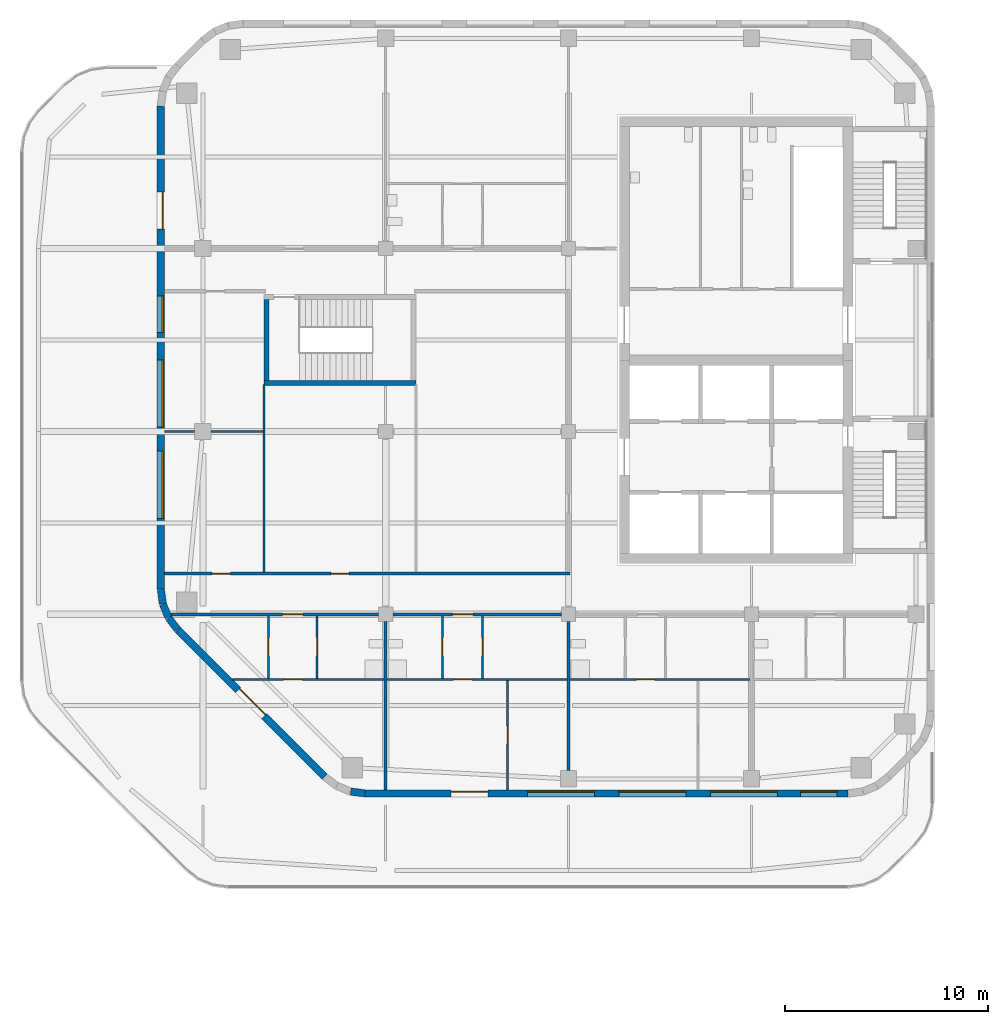
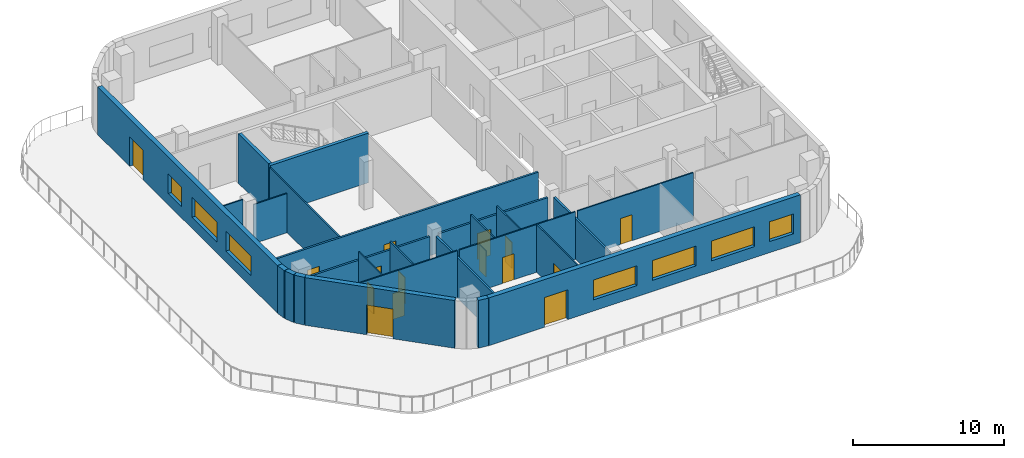
# One storey, part 5 of 15: 25 walls, 15 doors, 7 windows, 22 openings.
"""IFC4 building model written with IfcOpenShell, lengths in metres."""

import ifcopenshell
import ifcopenshell.guid

model = None  # the IFC model being written
_history = None  # IfcOwnerHistory: only IFC2X3 demands one
_inside = {}  # id of a spatial element -> (the spatial element, [elements in it])
_under = {}  # id of a project, library or spatial element -> (it, [spatial elements below it])
_declared = {}  # id of a project -> (the project, [libraries it declares])
_typed = {}  # id of a type object -> (the type object, [elements of that type])
_made_of = {}  # id of a material, layer set ... -> (it, [elements and type objects made of it])


def new_model(schema):
    """Start an empty IFC model of exactly this schema.

    Asked for "IFC4X3", IfcOpenShell would pick the latest addendum, in which some entities
    have other attributes; the version numbers below select the first issue.
    IFC2X3 requires an IfcOwnerHistory on every rooted entity: one is made here for all.
    """
    global model, _history
    if schema == "IFC4X3":
        model = ifcopenshell.file(schema_version=(4, 3, 0, 0))
    else:
        model = ifcopenshell.file(schema=schema)
    _inside.clear()
    _under.clear()
    _declared.clear()
    _typed.clear()
    _made_of.clear()
    _history = None
    if model.schema == "IFC2X3":
        org = make("IfcOrganization", Name="unknown")
        user = make(
            "IfcPersonAndOrganization",
            ThePerson=make("IfcPerson", FamilyName="unknown"),
            TheOrganization=org,
        )
        app = make(
            "IfcApplication",
            ApplicationDeveloper=org,
            Version="unknown",
            ApplicationFullName="unknown",
            ApplicationIdentifier="unknown",
        )
        _history = make(
            "IfcOwnerHistory",
            OwningUser=user,
            OwningApplication=app,
            ChangeAction="ADDED",
            CreationDate=0,
        )
    return model


def make(cls, **values):
    """One entity of the class cls with the attributes given. An attribute that is None is left unset."""
    return model.create_entity(
        cls, **{name: value for name, value in values.items() if value is not None}
    )


def rooted(cls, **values):
    """An entity with a GlobalId (a new one), such as an element, a storey or a relation."""
    return make(cls, GlobalId=ifcopenshell.guid.new(), OwnerHistory=_history, **values)


def si_unit(unit_type, name, prefix=None):
    """IfcSIUnit, for example si_unit("LENGTHUNIT", "METRE", prefix="MILLI")."""
    return make("IfcSIUnit", UnitType=unit_type, Prefix=prefix, Name=name)


def assignment(units):
    """IfcUnitAssignment: the units of a project."""
    return None if units is None else make("IfcUnitAssignment", Units=units)


def point(xyz):
    """IfcCartesianPoint."""
    return None if xyz is None else make("IfcCartesianPoint", Coordinates=xyz)


def direction(xyz):
    """IfcDirection."""
    return None if xyz is None else make("IfcDirection", DirectionRatios=xyz)


def frame(location, z_axis=None, x_axis=None):
    """IfcAxis2Placement3D, a coordinate frame: its origin and axes. An axis left out is left unset."""
    return make(
        "IfcAxis2Placement3D",
        Location=point(location),
        Axis=direction(z_axis),
        RefDirection=direction(x_axis),
    )


def frame_2d(location, x_axis=None):
    """IfcAxis2Placement2D, a coordinate frame in the plane: its origin and x axis."""
    return make(
        "IfcAxis2Placement2D", Location=point(location), RefDirection=direction(x_axis)
    )


def origin():
    """The frame at (0, 0, 0) with its axes left unset."""
    return frame((0.0, 0.0, 0.0))


def place(relative_to, where):
    """IfcLocalPlacement: puts the frame where relative to a parent placement (None: the world)."""
    return make(
        "IfcLocalPlacement", PlacementRelTo=relative_to, RelativePlacement=where
    )


def context(
    kind, dimensions, precision=None, world=None, true_north=None, identifier=None
):
    """IfcGeometricRepresentationContext, for example the 3D "Model" context."""
    return make(
        "IfcGeometricRepresentationContext",
        ContextIdentifier=identifier,
        ContextType=kind,
        CoordinateSpaceDimension=dimensions,
        Precision=precision,
        WorldCoordinateSystem=world,
        TrueNorth=true_north,
    )


def subcontext(parent, identifier, kind, view, scale=None):
    """IfcGeometricRepresentationSubContext, for example "Body" below "Model"."""
    return make(
        "IfcGeometricRepresentationSubContext",
        ContextIdentifier=identifier,
        ContextType=kind,
        ParentContext=parent,
        TargetScale=scale,
        TargetView=view,
    )


def project(units=None, contexts=None):
    """IfcProject with its units and contexts."""
    return rooted(
        "IfcProject",
        Name="project",
        RepresentationContexts=contexts,
        UnitsInContext=assignment(units),
    )


def spatial(cls, under=None, at=None, **own):
    """A site, building, storey or space (cls), placed at a placement, below another one or the project."""
    s = rooted(cls, ObjectPlacement=at, **own)
    if under is not None:
        _under.setdefault(under.id(), (under, []))[1].append(s)
    return s


def profile(cls, at=None, kind="AREA", **sizes):
    """A parametric profile (cls). Its sizes go by their IFC names, for example OverallWidth=200.0."""
    return make(cls, ProfileType=kind, Position=at, **sizes)


def rectangle(**sizes):
    """IfcRectangleProfileDef."""
    return profile("IfcRectangleProfileDef", **sizes)


def extrude(swept, where, along, depth):
    """IfcExtrudedAreaSolid: the profile swept, set in the frame where, extruded along a direction by depth."""
    return make(
        "IfcExtrudedAreaSolid",
        SweptArea=swept,
        Position=where,
        ExtrudedDirection=direction(along),
        Depth=depth,
    )


def shape(context_of_items, identifier, shape_type, items):
    """IfcShapeRepresentation: the items that make up one representation, for example the "Body"."""
    return make(
        "IfcShapeRepresentation",
        ContextOfItems=context_of_items,
        RepresentationIdentifier=identifier,
        RepresentationType=shape_type,
        Items=items,
    )


def material(Name=None, Category=None):
    """IfcMaterial."""
    return make("IfcMaterial", Name=Name, Category=Category)


def layer(
    of_material, thickness, ventilated=None, Name=None, Category=None, Priority=None
):
    """IfcMaterialLayer: one layer of a wall or slab, of a material (None: an air gap)."""
    return make(
        "IfcMaterialLayer",
        Material=of_material,
        LayerThickness=thickness,
        IsVentilated=ventilated,
        Name=Name,
        Category=Category,
        Priority=Priority,
    )


def layer_set(layers, Name=None):
    """IfcMaterialLayerSet."""
    return make("IfcMaterialLayerSet", MaterialLayers=layers, LayerSetName=Name)


def made_of(thing, what):
    """Note that an element or type object is made of a material, layer set ...; save() writes the relation."""
    if what is not None:
        _made_of.setdefault(what.id(), (what, []))[1].append(thing)
    return thing


def type_object(cls, material=None, **own):
    """A type object (cls), such as IfcWallType, which elements share."""
    return made_of(rooted(cls, **own), material)


def element(
    cls,
    number,
    at=None,
    inside=None,
    cuts=None,
    type_object=None,
    material=None,
    context=None,
    identifier="Body",
    shape_type=None,
    held_by="IfcProductDefinitionShape",
    body=None,
    shapes=None,
    **own,
):
    """One element of the class cls, such as IfcWall. Its Tag is "e" and its number.

    at: its placement. inside: the storey or other place that contains it. cuts: it is an
    opening in that element (IfcRelVoidsElement). A single representation is given by context,
    identifier, shape_type and body (its items); several are given by shapes. held_by: the class
    of the entity that holds the representations. save() writes the other relations.
    """
    e = rooted(cls, Tag="e%d" % number, ObjectPlacement=at, **own)
    if body is not None:
        shapes = [shape(context, identifier, shape_type, body)]
    if shapes is not None:
        e.Representation = make(held_by, Representations=shapes)
    if inside is not None:
        _inside.setdefault(inside.id(), (inside, []))[1].append(e)
    if cuts is not None:
        rooted(
            "IfcRelVoidsElement", RelatingBuildingElement=cuts, RelatedOpeningElement=e
        )
    if type_object is not None:
        _typed.setdefault(type_object.id(), (type_object, []))[1].append(e)
    return made_of(e, material)


def fill(opening, filler):
    """IfcRelFillsElement: the door or window that sits in an opening."""
    return rooted(
        "IfcRelFillsElement",
        RelatingOpeningElement=opening,
        RelatedBuildingElement=filler,
    )


def aggregate(whole, parts):
    """IfcRelAggregates: a whole, such as a stair, and the parts it consists of."""
    return rooted("IfcRelAggregates", RelatingObject=whole, RelatedObjects=parts)


def save(model, path):
    """Write the relations noted so far, then the file.

    IfcRelAggregates (storeys below a building ...), IfcRelContainedInSpatialStructure (elements
    in a storey), IfcRelDefinesByType, IfcRelAssociatesMaterial and IfcRelDeclares: one each for
    every whole, place, type object, material and project.
    """
    for whole, parts in _under.values():
        aggregate(whole, parts)
    for where, things in _inside.values():
        rooted(
            "IfcRelContainedInSpatialStructure",
            RelatedElements=things,
            RelatingStructure=where,
        )
    for kind, things in _typed.values():
        rooted("IfcRelDefinesByType", RelatedObjects=things, RelatingType=kind)
    for what, things in _made_of.values():
        rooted("IfcRelAssociatesMaterial", RelatedObjects=things, RelatingMaterial=what)
    for by, libraries in _declared.values():
        rooted("IfcRelDeclares", RelatingContext=by, RelatedDefinitions=libraries)
    model.write(path)


model = new_model("IFC4")

# Units and contexts
model_context = context("Model", 3, precision=1e-05, world=origin(), true_north=direction((0.0, 1.0)))
body_context = subcontext(model_context, "Body", "Model", "MODEL_VIEW")
ifc_project = project(units=[si_unit("LENGTHUNIT", "METRE"), si_unit("AREAUNIT", "SQUARE_METRE"), si_unit("VOLUMEUNIT", "CUBIC_METRE"), si_unit("PLANEANGLEUNIT", "RADIAN"), si_unit("MASSUNIT", "GRAM", prefix="KILO")], contexts=[model_context])

# Site, building, storey
site_placement = place(None, origin())
site = spatial("IfcSite", under=ifc_project, at=site_placement, CompositionType="ELEMENT")
building_placement = place(site_placement, origin())
building = spatial("IfcBuilding", under=site, at=building_placement, Name="Cinnabar Reach Civic Tower", CompositionType="ELEMENT")
storey_placement = place(building_placement, frame((0.0, 0.0, 51.0)))
storey = spatial("IfcBuildingStorey", under=building, at=storey_placement, Name="L11", CompositionType="ELEMENT", Elevation=51.0)

# Walls
ifc_material_1 = material(Name="Facing brick with insulated backing", Category="masonry")
ifc_layer_1 = layer(ifc_material_1, 0.36)
ifc_layer_set_1 = layer_set([ifc_layer_1], Name="Brick corner wall")
wall_type_1 = type_object("IfcWallType", Name="Brick corner wall", PredefinedType="STANDARD", material=ifc_layer_set_1)
for number, where, z_axis, x_axis, name in (
    (1, (-65.067, 19.2314, 0.0), (0.0, 0.0, 1.0), (0.13055608231, -0.99144092581, 0.0), "Brick corner wall"),
    (2, (-64.9681, 18.5027, 0.0), (0.0, 0.0, 1.0), (0.382702709855, -0.923871547278, 0.0), "Brick corner wall"),
):
    element("IfcWall", number, at=place(storey_placement, frame(where, z_axis=z_axis, x_axis=x_axis)), inside=storey, type_object=wall_type_1, Name=name, PredefinedType="STANDARD", context=body_context, shape_type="SweptSolid", body=[
        extrude(rectangle(XDim=0.7131, YDim=0.36, at=frame_2d((0.3565, 0.0))), origin(), (0.0, 0.0, 1.0), 3.85),
    ])
wall_1_placement = place(storey_placement, frame((-64.684, 17.8245, 0.0), z_axis=(0.0, 0.0, 1.0), x_axis=(0.608802368033, -0.793321924995, 0.0)))
element("IfcWall", 3, at=wall_1_placement, inside=storey, type_object=wall_type_1, Name="Brick corner wall", PredefinedType="STANDARD", context=body_context, shape_type="SweptSolid", body=[
    extrude(rectangle(XDim=0.7132, YDim=0.36, at=frame_2d((0.3566, 0.0))), origin(), (0.0, 0.0, 1.0), 3.85),
])
wall_2_placement = place(storey_placement, frame((-55.7256, 9.2761, 0.0), z_axis=(0.0, 0.0, 1.0), x_axis=(0.99144092581, -0.13055608231, 0.0)))
element("IfcWall", 4, at=wall_2_placement, inside=storey, type_object=wall_type_1, Name="Brick corner wall", PredefinedType="STANDARD", context=body_context, shape_type="SweptSolid", body=[
    extrude(rectangle(XDim=0.7131, YDim=0.36, at=frame_2d((0.3565, 0.0))), origin(), (0.0, 0.0, 1.0), 3.85),
])

# Wall, openings, windows, door
ifc_layer_2 = layer(ifc_material_1, 0.36)
ifc_layer_set_2 = layer_set([ifc_layer_2], Name="Brick pier and spandrel wall")
wall_type_2 = type_object("IfcWallType", Name="Brick pier and spandrel wall", PredefinedType="STANDARD", material=ifc_layer_set_2)
wall_3_placement = place(storey_placement, frame((-55.0074, 9.18, 0.0), z_axis=(0.0, 0.0, 1.0), x_axis=(1.0, 0.0, 0.0)))
wall_3 = element("IfcWall", 5, at=wall_3_placement, inside=storey, type_object=wall_type_2, Name="Brick facade wall", PredefinedType="STANDARD", context=body_context, shape_type="SweptSolid", body=[
    extrude(rectangle(XDim=23.7648, YDim=0.36, at=frame_2d((11.8824, 0.0))), origin(), (0.0, 0.0, 1.0), 3.85),
])
opening_1_placement = place(wall_3_placement, frame((4.2324, 0.0, 0.0)))
opening_1 = element("IfcOpeningElement", 6, at=opening_1_placement, cuts=wall_3, Name="Opening D7514", PredefinedType="OPENING", context=body_context, shape_type="SweptSolid", body=[
    extrude(rectangle(XDim=1.8, YDim=2.4, at=frame_2d((0.9, 1.2))), frame((0.0, 0.19, 0.0), z_axis=(0.0, -1.0, 0.0), x_axis=(1.0, 0.0, 0.0)), (0.0, 0.0, 1.0), 0.38),
])
opening_2_placement = place(wall_3_placement, frame((7.9824, 0.0, 0.9)))
opening_2 = element("IfcOpeningElement", 7, at=opening_2_placement, cuts=wall_3, Name="Opening W2482", PredefinedType="OPENING", context=body_context, shape_type="SweptSolid", body=[
    extrude(rectangle(XDim=3.3, YDim=1.6, at=frame_2d((1.65, 0.8))), frame((0.0, 0.19, 0.0), z_axis=(0.0, -1.0, 0.0), x_axis=(1.0, 0.0, 0.0)), (0.0, 0.0, 1.0), 0.38),
])
opening_3_placement = place(wall_3_placement, frame((12.4824, 0.0, 0.9)))
opening_3 = element("IfcOpeningElement", 8, at=opening_3_placement, cuts=wall_3, Name="Opening W2483", PredefinedType="OPENING", context=body_context, shape_type="SweptSolid", body=[
    extrude(rectangle(XDim=3.3, YDim=1.6, at=frame_2d((1.65, 0.8))), frame((0.0, 0.19, 0.0), z_axis=(0.0, -1.0, 0.0), x_axis=(1.0, 0.0, 0.0)), (0.0, 0.0, 1.0), 0.38),
])
opening_4_placement = place(wall_3_placement, frame((16.9824, 0.0, 0.9)))
opening_4 = element("IfcOpeningElement", 9, at=opening_4_placement, cuts=wall_3, Name="Opening W2484", PredefinedType="OPENING", context=body_context, shape_type="SweptSolid", body=[
    extrude(rectangle(XDim=3.3, YDim=1.6, at=frame_2d((1.65, 0.8))), frame((0.0, 0.19, 0.0), z_axis=(0.0, -1.0, 0.0), x_axis=(1.0, 0.0, 0.0)), (0.0, 0.0, 1.0), 0.38),
])
opening_5_placement = place(wall_3_placement, frame((21.4235, 0.0, 0.9)))
opening_5 = element("IfcOpeningElement", 10, at=opening_5_placement, cuts=wall_3, Name="Opening W2485", PredefinedType="OPENING", context=body_context, shape_type="SweptSolid", body=[
    extrude(rectangle(XDim=1.8, YDim=1.6, at=frame_2d((0.9, 0.8))), frame((0.0, 0.19, 0.0), z_axis=(0.0, -1.0, 0.0), x_axis=(1.0, 0.0, 0.0)), (0.0, 0.0, 1.0), 0.38),
])
ifc_material_2 = material(Name="Clear double glazing in aluminium frame", Category="aluminium")
window_type_1 = type_object("IfcWindowType", Name="Deep-set window A", PartitioningType="SINGLE_PANEL", PredefinedType="WINDOW", material=ifc_material_2)
window_1_placement = place(opening_2_placement, origin())
window_1 = element("IfcWindow", 11, at=window_1_placement, inside=storey, type_object=window_type_1, Name="Window south face", OverallHeight=1.6, OverallWidth=3.3, PartitioningType="SINGLE_PANEL", PredefinedType="WINDOW", context=body_context, shape_type="SweptSolid", body=[
    extrude(rectangle(XDim=3.3, YDim=1.6, at=frame_2d((1.65, 0.8))), frame((0.0, 0.13, 0.0), z_axis=(0.0, -1.0, 0.0), x_axis=(1.0, 0.0, 0.0)), (0.0, 0.0, 1.0), 0.06),
])
fill(opening_2, window_1)
window_2_placement = place(opening_3_placement, origin())
window_2 = element("IfcWindow", 12, at=window_2_placement, inside=storey, type_object=window_type_1, Name="Window south face", OverallHeight=1.6, OverallWidth=3.3, PartitioningType="SINGLE_PANEL", PredefinedType="WINDOW", context=body_context, shape_type="SweptSolid", body=[
    extrude(rectangle(XDim=3.3, YDim=1.6, at=frame_2d((1.65, 0.8))), frame((0.0, 0.13, 0.0), z_axis=(0.0, -1.0, 0.0), x_axis=(1.0, 0.0, 0.0)), (0.0, 0.0, 1.0), 0.06),
])
fill(opening_3, window_2)
window_3_placement = place(opening_4_placement, origin())
window_3 = element("IfcWindow", 13, at=window_3_placement, inside=storey, type_object=window_type_1, Name="Window south face", OverallHeight=1.6, OverallWidth=3.3, PartitioningType="SINGLE_PANEL", PredefinedType="WINDOW", context=body_context, shape_type="SweptSolid", body=[
    extrude(rectangle(XDim=3.3, YDim=1.6, at=frame_2d((1.65, 0.8))), frame((0.0, 0.13, 0.0), z_axis=(0.0, -1.0, 0.0), x_axis=(1.0, 0.0, 0.0)), (0.0, 0.0, 1.0), 0.06),
])
fill(opening_4, window_3)
window_type_2 = type_object("IfcWindowType", Name="Deep-set window D", PartitioningType="SINGLE_PANEL", PredefinedType="WINDOW", material=ifc_material_2)
window_4_placement = place(opening_5_placement, origin())
window_4 = element("IfcWindow", 14, at=window_4_placement, inside=storey, type_object=window_type_2, Name="Window south face", OverallHeight=1.6, OverallWidth=1.8, PartitioningType="SINGLE_PANEL", PredefinedType="WINDOW", context=body_context, shape_type="SweptSolid", body=[
    extrude(rectangle(XDim=1.8, YDim=1.6, at=frame_2d((0.9, 0.8))), frame((0.0, 0.13, 0.0), z_axis=(0.0, -1.0, 0.0), x_axis=(1.0, 0.0, 0.0)), (0.0, 0.0, 1.0), 0.06),
])
fill(opening_5, window_4)
ifc_material_3 = material(Name="Clear glazing in aluminium frame", Category="aluminium")
door_type_1 = type_object("IfcDoorType", Name="Facade terrace double door", OperationType="SINGLE_SWING_LEFT", PredefinedType="DOOR", material=ifc_material_3)
door_1_placement = place(opening_1_placement, frame((1.8, 0.0, 0.0), z_axis=(0.0, 0.0, 1.0), x_axis=(-1.0, 0.0, 0.0)))
door_1 = element("IfcDoor", 15, at=door_1_placement, inside=storey, type_object=door_type_1, Name="Terrace door", OperationType="DOUBLE_DOOR_SINGLE_SWING", OverallHeight=2.4, OverallWidth=1.8, PredefinedType="DOOR", context=body_context, shape_type="SweptSolid", body=[
    extrude(rectangle(XDim=1.8, YDim=2.4, at=frame_2d((0.9, 1.2))), frame((0.0, -0.07, 0.0), z_axis=(0.0, -1.0, 0.0), x_axis=(1.0, 0.0, 0.0)), (0.0, 0.0, 1.0), 0.05),
])
fill(opening_1, door_1)

wall_4_placement = place(storey_placement, frame((-65.07, 43.0074, 0.0), z_axis=(0.0, 0.0, 1.0), x_axis=(0.0, -1.0, 0.0)))
wall_4 = element("IfcWall", 16, at=wall_4_placement, inside=storey, type_object=wall_type_2, Name="Brick facade wall", PredefinedType="STANDARD", context=body_context, shape_type="SweptSolid", body=[
    extrude(rectangle(XDim=23.7648, YDim=0.36, at=frame_2d((11.8824, 0.0))), origin(), (0.0, 0.0, 1.0), 3.85),
])
opening_6_placement = place(wall_4_placement, frame((4.2324, 0.0, 0.0)))
opening_6 = element("IfcOpeningElement", 17, at=opening_6_placement, cuts=wall_4, Name="Opening D7515", PredefinedType="OPENING", context=body_context, shape_type="SweptSolid", body=[
    extrude(rectangle(XDim=1.8, YDim=2.4, at=frame_2d((0.9, 1.2))), frame((0.0, 0.19, 0.0), z_axis=(0.0, -1.0, 0.0), x_axis=(1.0, 0.0, 0.0)), (0.0, 0.0, 1.0), 0.38),
])
opening_7_placement = place(wall_4_placement, frame((9.3324, 0.0, 0.9)))
opening_7 = element("IfcOpeningElement", 18, at=opening_7_placement, cuts=wall_4, Name="Opening W2494", PredefinedType="OPENING", context=body_context, shape_type="SweptSolid", body=[
    extrude(rectangle(XDim=1.8, YDim=1.6, at=frame_2d((0.9, 0.8))), frame((0.0, 0.19, 0.0), z_axis=(0.0, -1.0, 0.0), x_axis=(1.0, 0.0, 0.0)), (0.0, 0.0, 1.0), 0.38),
])
opening_8_placement = place(wall_4_placement, frame((12.4824, 0.0, 0.9)))
opening_8 = element("IfcOpeningElement", 19, at=opening_8_placement, cuts=wall_4, Name="Opening W2495", PredefinedType="OPENING", context=body_context, shape_type="SweptSolid", body=[
    extrude(rectangle(XDim=3.3, YDim=1.6, at=frame_2d((1.65, 0.8))), frame((0.0, 0.19, 0.0), z_axis=(0.0, -1.0, 0.0), x_axis=(1.0, 0.0, 0.0)), (0.0, 0.0, 1.0), 0.38),
])
opening_9_placement = place(wall_4_placement, frame((16.9824, 0.0, 0.9)))
opening_9 = element("IfcOpeningElement", 20, at=opening_9_placement, cuts=wall_4, Name="Opening W2496", PredefinedType="OPENING", context=body_context, shape_type="SweptSolid", body=[
    extrude(rectangle(XDim=3.3, YDim=1.6, at=frame_2d((1.65, 0.8))), frame((0.0, 0.19, 0.0), z_axis=(0.0, -1.0, 0.0), x_axis=(1.0, 0.0, 0.0)), (0.0, 0.0, 1.0), 0.38),
])
window_5_placement = place(opening_8_placement, origin())
window_5 = element("IfcWindow", 21, at=window_5_placement, inside=storey, type_object=window_type_1, Name="Window west face", OverallHeight=1.6, OverallWidth=3.3, PartitioningType="SINGLE_PANEL", PredefinedType="WINDOW", context=body_context, shape_type="SweptSolid", body=[
    extrude(rectangle(XDim=3.3, YDim=1.6, at=frame_2d((1.65, 0.8))), frame((0.0, 0.13, 0.0), z_axis=(0.0, -1.0, 0.0), x_axis=(1.0, 0.0, 0.0)), (0.0, 0.0, 1.0), 0.06),
])
fill(opening_8, window_5)
window_6_placement = place(opening_9_placement, origin())
window_6 = element("IfcWindow", 22, at=window_6_placement, inside=storey, type_object=window_type_1, Name="Window west face", OverallHeight=1.6, OverallWidth=3.3, PartitioningType="SINGLE_PANEL", PredefinedType="WINDOW", context=body_context, shape_type="SweptSolid", body=[
    extrude(rectangle(XDim=3.3, YDim=1.6, at=frame_2d((1.65, 0.8))), frame((0.0, 0.13, 0.0), z_axis=(0.0, -1.0, 0.0), x_axis=(1.0, 0.0, 0.0)), (0.0, 0.0, 1.0), 0.06),
])
fill(opening_9, window_6)
window_7_placement = place(opening_7_placement, origin())
window_7 = element("IfcWindow", 23, at=window_7_placement, inside=storey, type_object=window_type_2, Name="Window west face", OverallHeight=1.6, OverallWidth=1.8, PartitioningType="SINGLE_PANEL", PredefinedType="WINDOW", context=body_context, shape_type="SweptSolid", body=[
    extrude(rectangle(XDim=1.8, YDim=1.6, at=frame_2d((0.9, 0.8))), frame((0.0, 0.13, 0.0), z_axis=(0.0, -1.0, 0.0), x_axis=(1.0, 0.0, 0.0)), (0.0, 0.0, 1.0), 0.06),
])
fill(opening_7, window_7)
door_2_placement = place(opening_6_placement, frame((1.8, 0.0, 0.0), z_axis=(0.0, 0.0, 1.0), x_axis=(-1.0, 0.0, 0.0)))
door_2 = element("IfcDoor", 24, at=door_2_placement, inside=storey, type_object=door_type_1, Name="Terrace door", OperationType="DOUBLE_DOOR_SINGLE_SWING", OverallHeight=2.4, OverallWidth=1.8, PredefinedType="DOOR", context=body_context, shape_type="SweptSolid", body=[
    extrude(rectangle(XDim=1.8, YDim=2.4, at=frame_2d((0.9, 1.2))), frame((0.0, -0.07, 0.0), z_axis=(0.0, -1.0, 0.0), x_axis=(1.0, 0.0, 0.0)), (0.0, 0.0, 1.0), 0.05),
])
fill(opening_6, door_2)

# Wall, opening, door
wall_5_placement = place(storey_placement, frame((-64.244, 17.2486, 0.0), z_axis=(0.0, 0.0, 1.0), x_axis=(0.707106781187, -0.707106781187, 0.0)))
wall_5 = element("IfcWall", 25, at=wall_5_placement, inside=storey, type_object=wall_type_2, Name="Brick facade wall", PredefinedType="STANDARD", context=body_context, shape_type="SweptSolid", body=[
    extrude(rectangle(XDim=10.2426, YDim=0.36, at=frame_2d((5.1213, 0.0))), origin(), (0.0, 0.0, 1.0), 3.85),
])
opening_10_placement = place(wall_5_placement, frame((4.2213, 0.0, 0.0)))
opening_10 = element("IfcOpeningElement", 26, at=opening_10_placement, cuts=wall_5, Name="Opening D7516", PredefinedType="OPENING", context=body_context, shape_type="SweptSolid", body=[
    extrude(rectangle(XDim=1.8, YDim=2.4, at=frame_2d((0.9, 1.2))), frame((0.0, 0.19, 0.0), z_axis=(0.0, -1.0, 0.0), x_axis=(1.0, 0.0, 0.0)), (0.0, 0.0, 1.0), 0.38),
])
door_3_placement = place(opening_10_placement, frame((1.8, 0.0, 0.0), z_axis=(0.0, 0.0, 1.0), x_axis=(-1.0, 0.0, 0.0)))
door_3 = element("IfcDoor", 27, at=door_3_placement, inside=storey, type_object=door_type_1, Name="Terrace door", OperationType="DOUBLE_DOOR_SINGLE_SWING", OverallHeight=2.4, OverallWidth=1.8, PredefinedType="DOOR", context=body_context, shape_type="SweptSolid", body=[
    extrude(rectangle(XDim=1.8, YDim=2.4, at=frame_2d((0.9, 1.2))), frame((0.0, -0.07, 0.0), z_axis=(0.0, -1.0, 0.0), x_axis=(1.0, 0.0, 0.0)), (0.0, 0.0, 1.0), 0.05),
])
fill(opening_10, door_3)

ifc_material_4 = material(Name="Gypsum board on steel studs, double layer", Category="steel")
ifc_layer_3 = layer(ifc_material_4, 0.15)
ifc_layer_set_3 = layer_set([ifc_layer_3], Name="Corridor wall 150 T2")
wall_type_3 = type_object("IfcWallType", Name="Corridor wall 150 T2", PredefinedType="PARTITIONING", material=ifc_layer_set_3)
wall_6_placement = place(storey_placement, frame((-53.65, 18.0, 0.0), z_axis=(0.0, 0.0, 1.0), x_axis=(1.0, 0.0, 0.0)))
wall_6 = element("IfcWall", 28, at=wall_6_placement, inside=storey, type_object=wall_type_3, Name="Corridor wall 3", PredefinedType="PARTITIONING", context=body_context, shape_type="SweptSolid", body=[
    extrude(rectangle(XDim=8.3, YDim=0.15, at=frame_2d((4.15, 0.0))), origin(), (0.0, 0.0, 1.0), 3.158),
])
opening_11_placement = place(wall_6_placement, frame((2.94, 0.0, 0.0)))
opening_11 = element("IfcOpeningElement", 29, at=opening_11_placement, cuts=wall_6, Name="Opening D6421", PredefinedType="OPENING", context=body_context, shape_type="SweptSolid", body=[
    extrude(rectangle(XDim=1.0, YDim=2.1, at=frame_2d((0.5, 1.05))), frame((0.0, 0.085, 0.0), z_axis=(0.0, -1.0, 0.0), x_axis=(1.0, 0.0, 0.0)), (0.0, 0.0, 1.0), 0.17),
])
ifc_material_5 = material(Name="Timber door leaf in steel frame", Category="steel")
door_type_2 = type_object("IfcDoorType", Name="Tenancy entrance door 1000 x 2100 T2", OperationType="SINGLE_SWING_LEFT", PredefinedType="DOOR", material=ifc_material_5)
door_4_placement = place(opening_11_placement, frame((1.0, 0.0, 0.0), z_axis=(0.0, 0.0, 1.0), x_axis=(-1.0, 0.0, 0.0)))
door_4 = element("IfcDoor", 30, at=door_4_placement, inside=storey, type_object=door_type_2, Name="Door D6421", OperationType="SINGLE_SWING_LEFT", OverallHeight=2.1, OverallWidth=1.0, PredefinedType="DOOR", context=body_context, shape_type="SweptSolid", body=[
    extrude(rectangle(XDim=1.0, YDim=2.1, at=frame_2d((0.5, 1.05))), frame((0.0, 0.025, 0.0), z_axis=(0.0, -1.0, 0.0), x_axis=(1.0, 0.0, 0.0)), (0.0, 0.0, 1.0), 0.05),
])
fill(opening_11, door_4)

wall_7_placement = place(storey_placement, frame((-64.5961, 18.0, 0.0), z_axis=(0.0, 0.0, 1.0), x_axis=(1.0, 0.0, 0.0)))
wall_7 = element("IfcWall", 31, at=wall_7_placement, inside=storey, type_object=wall_type_3, Name="Corridor wall 4", PredefinedType="PARTITIONING", context=body_context, shape_type="SweptSolid", body=[
    extrude(rectangle(XDim=10.2461, YDim=0.15, at=frame_2d((5.1231, 0.0))), origin(), (0.0, 0.0, 1.0), 3.158),
])
opening_12_placement = place(wall_7_placement, frame((5.5244, 0.0, 0.0)))
opening_12 = element("IfcOpeningElement", 32, at=opening_12_placement, cuts=wall_7, Name="Opening D6416", PredefinedType="OPENING", context=body_context, shape_type="SweptSolid", body=[
    extrude(rectangle(XDim=1.0, YDim=2.1, at=frame_2d((0.5, 1.05))), frame((0.0, 0.085, 0.0), z_axis=(0.0, -1.0, 0.0), x_axis=(1.0, 0.0, 0.0)), (0.0, 0.0, 1.0), 0.17),
])
door_5_placement = place(opening_12_placement, frame((1.0, 0.0, 0.0), z_axis=(0.0, 0.0, 1.0), x_axis=(-1.0, 0.0, 0.0)))
door_5 = element("IfcDoor", 33, at=door_5_placement, inside=storey, type_object=door_type_2, Name="Door D6416", OperationType="SINGLE_SWING_RIGHT", OverallHeight=2.1, OverallWidth=1.0, PredefinedType="DOOR", context=body_context, shape_type="SweptSolid", body=[
    extrude(rectangle(XDim=1.0, YDim=2.1, at=frame_2d((0.5, 1.05))), frame((0.0, 0.025, 0.0), z_axis=(0.0, -1.0, 0.0), x_axis=(1.0, 0.0, 0.0)), (0.0, 0.0, 1.0), 0.05),
])
fill(opening_12, door_5)

# Wall, openings, doors
wall_8_placement = place(storey_placement, frame((-64.89, 20.0, 0.0), z_axis=(0.0, 0.0, 1.0), x_axis=(1.0, 0.0, 0.0)))
wall_8 = element("IfcWall", 34, at=wall_8_placement, inside=storey, type_object=wall_type_3, Name="Corridor wall 9", PredefinedType="PARTITIONING", context=body_context, shape_type="SweptSolid", body=[
    extrude(rectangle(XDim=19.965, YDim=0.15, at=frame_2d((9.9825, 0.0))), origin(), (0.0, 0.0, 1.0), 3.85),
])
opening_13_placement = place(wall_8_placement, frame((2.35, 0.0, 0.0)))
opening_13 = element("IfcOpeningElement", 35, at=opening_13_placement, cuts=wall_8, Name="Opening D6436", PredefinedType="OPENING", context=body_context, shape_type="SweptSolid", body=[
    extrude(rectangle(XDim=0.9, YDim=2.1, at=frame_2d((0.45, 1.05))), frame((0.0, 0.085, 0.0), z_axis=(0.0, -1.0, 0.0), x_axis=(1.0, 0.0, 0.0)), (0.0, 0.0, 1.0), 0.17),
])
opening_14_placement = place(wall_8_placement, frame((8.19, 0.0, 0.0)))
opening_14 = element("IfcOpeningElement", 36, at=opening_14_placement, cuts=wall_8, Name="Opening D6438", PredefinedType="OPENING", context=body_context, shape_type="SweptSolid", body=[
    extrude(rectangle(XDim=0.9, YDim=2.1, at=frame_2d((0.45, 1.05))), frame((0.0, 0.085, 0.0), z_axis=(0.0, -1.0, 0.0), x_axis=(1.0, 0.0, 0.0)), (0.0, 0.0, 1.0), 0.17),
])
door_type_3 = type_object("IfcDoorType", Name="Single swing door 900 x 2100 T2", OperationType="SINGLE_SWING_LEFT", PredefinedType="DOOR", material=ifc_material_5)
door_6_placement = place(opening_13_placement, origin())
door_6 = element("IfcDoor", 37, at=door_6_placement, inside=storey, type_object=door_type_3, Name="Door D6436", OperationType="SINGLE_SWING_RIGHT", OverallHeight=2.1, OverallWidth=0.9, PredefinedType="DOOR", context=body_context, shape_type="SweptSolid", body=[
    extrude(rectangle(XDim=0.9, YDim=2.1, at=frame_2d((0.45, 1.05))), frame((0.0, 0.025, 0.0), z_axis=(0.0, -1.0, 0.0), x_axis=(1.0, 0.0, 0.0)), (0.0, 0.0, 1.0), 0.05),
])
fill(opening_13, door_6)
door_7_placement = place(opening_14_placement, origin())
door_7 = element("IfcDoor", 38, at=door_7_placement, inside=storey, type_object=door_type_3, Name="Door D6438", OperationType="SINGLE_SWING_RIGHT", OverallHeight=2.1, OverallWidth=0.9, PredefinedType="DOOR", context=body_context, shape_type="SweptSolid", body=[
    extrude(rectangle(XDim=0.9, YDim=2.1, at=frame_2d((0.45, 1.05))), frame((0.0, 0.025, 0.0), z_axis=(0.0, -1.0, 0.0), x_axis=(1.0, 0.0, 0.0)), (0.0, 0.0, 1.0), 0.05),
])
fill(opening_14, door_7)

# Wall, opening, door
ifc_material_6 = material(Name="Gypsum board on steel studs", Category="steel")
ifc_layer_4 = layer(ifc_material_6, 0.1)
ifc_layer_set_4 = layer_set([ifc_layer_4], Name="Partition wall 100 T2")
wall_type_4 = type_object("IfcWallType", Name="Partition wall 100 T2", PredefinedType="PARTITIONING", material=ifc_layer_set_4)
wall_9_placement = place(storey_placement, frame((-44.925, 14.8, 0.0), z_axis=(0.0, 0.0, 1.0), x_axis=(1.0, 0.0, 0.0)))
wall_9 = element("IfcWall", 39, at=wall_9_placement, inside=storey, type_object=wall_type_4, Name="Partition wall 18", PredefinedType="PARTITIONING", context=body_context, shape_type="SweptSolid", body=[
    extrude(rectangle(XDim=8.85, YDim=0.1, at=frame_2d((4.425, 0.0))), origin(), (0.0, 0.0, 1.0), 3.85),
])
opening_15_placement = place(wall_9_placement, frame((3.265, 0.0, 0.0)))
opening_15 = element("IfcOpeningElement", 40, at=opening_15_placement, cuts=wall_9, Name="Opening D6424", PredefinedType="OPENING", context=body_context, shape_type="SweptSolid", body=[
    extrude(rectangle(XDim=0.9, YDim=2.1, at=frame_2d((0.45, 1.05))), frame((0.0, 0.06, 0.0), z_axis=(0.0, -1.0, 0.0), x_axis=(1.0, 0.0, 0.0)), (0.0, 0.0, 1.0), 0.12),
])
door_8_placement = place(opening_15_placement, origin())
door_8 = element("IfcDoor", 41, at=door_8_placement, inside=storey, type_object=door_type_3, Name="Door D6424", OperationType="SINGLE_SWING_RIGHT", OverallHeight=2.1, OverallWidth=0.9, PredefinedType="DOOR", context=body_context, shape_type="SweptSolid", body=[
    extrude(rectangle(XDim=0.9, YDim=2.1, at=frame_2d((0.45, 1.05))), frame((0.0, 0.025, 0.0), z_axis=(0.0, -1.0, 0.0), x_axis=(1.0, 0.0, 0.0)), (0.0, 0.0, 1.0), 0.05),
])
fill(opening_15, door_8)

wall_10_placement = place(storey_placement, frame((-53.925, 14.8, 0.0), z_axis=(0.0, 0.0, 1.0), x_axis=(1.0, 0.0, 0.0)))
wall_10 = element("IfcWall", 42, at=wall_10_placement, inside=storey, type_object=wall_type_4, Name="Partition wall 19", PredefinedType="PARTITIONING", context=body_context, shape_type="SweptSolid", body=[
    extrude(rectangle(XDim=8.85, YDim=0.1, at=frame_2d((4.425, 0.0))), origin(), (0.0, 0.0, 1.0), 3.85),
])
opening_16_placement = place(wall_10_placement, frame((3.265, 0.0, 0.0)))
opening_16 = element("IfcOpeningElement", 43, at=opening_16_placement, cuts=wall_10, Name="Opening D6419", PredefinedType="OPENING", context=body_context, shape_type="SweptSolid", body=[
    extrude(rectangle(XDim=0.9, YDim=2.1, at=frame_2d((0.45, 1.05))), frame((0.0, 0.06, 0.0), z_axis=(0.0, -1.0, 0.0), x_axis=(1.0, 0.0, 0.0)), (0.0, 0.0, 1.0), 0.12),
])
door_9_placement = place(opening_16_placement, origin())
door_9 = element("IfcDoor", 44, at=door_9_placement, inside=storey, type_object=door_type_3, Name="Door D6419", OperationType="SINGLE_SWING_RIGHT", OverallHeight=2.1, OverallWidth=0.9, PredefinedType="DOOR", context=body_context, shape_type="SweptSolid", body=[
    extrude(rectangle(XDim=0.9, YDim=2.1, at=frame_2d((0.45, 1.05))), frame((0.0, 0.025, 0.0), z_axis=(0.0, -1.0, 0.0), x_axis=(1.0, 0.0, 0.0)), (0.0, 0.0, 1.0), 0.05),
])
fill(opening_16, door_9)

wall_11_placement = place(storey_placement, frame((-61.5409, 14.8, 0.0), z_axis=(0.0, 0.0, 1.0), x_axis=(1.0, 0.0, 0.0)))
wall_11 = element("IfcWall", 45, at=wall_11_placement, inside=storey, type_object=wall_type_4, Name="Partition wall 20", PredefinedType="PARTITIONING", context=body_context, shape_type="SweptSolid", body=[
    extrude(rectangle(XDim=7.4659, YDim=0.1, at=frame_2d((3.733, 0.0))), origin(), (0.0, 0.0, 1.0), 3.85),
])
opening_17_placement = place(wall_11_placement, frame((2.5192, 0.0, 0.0)))
opening_17 = element("IfcOpeningElement", 46, at=opening_17_placement, cuts=wall_11, Name="Opening D6415", PredefinedType="OPENING", context=body_context, shape_type="SweptSolid", body=[
    extrude(rectangle(XDim=0.9, YDim=2.1, at=frame_2d((0.45, 1.05))), frame((0.0, 0.06, 0.0), z_axis=(0.0, -1.0, 0.0), x_axis=(1.0, 0.0, 0.0)), (0.0, 0.0, 1.0), 0.12),
])
door_10_placement = place(opening_17_placement, origin())
door_10 = element("IfcDoor", 47, at=door_10_placement, inside=storey, type_object=door_type_3, Name="Door D6415", OperationType="SINGLE_SWING_LEFT", OverallHeight=2.1, OverallWidth=0.9, PredefinedType="DOOR", context=body_context, shape_type="SweptSolid", body=[
    extrude(rectangle(XDim=0.9, YDim=2.1, at=frame_2d((0.45, 1.05))), frame((0.0, 0.025, 0.0), z_axis=(0.0, -1.0, 0.0), x_axis=(1.0, 0.0, 0.0)), (0.0, 0.0, 1.0), 0.05),
])
fill(opening_17, door_10)

# Wall
wall_12_placement = place(storey_placement, frame((-60.0, 20.075, 0.0), z_axis=(0.0, 0.0, 1.0), x_axis=(0.0, 1.0, 0.0)))
element("IfcWall", 48, at=wall_12_placement, inside=storey, type_object=wall_type_4, Name="Partition wall 23", PredefinedType="PARTITIONING", context=body_context, shape_type="SweptSolid", body=[
    extrude(rectangle(XDim=9.225, YDim=0.1, at=frame_2d((4.6125, 0.0))), origin(), (0.0, 0.0, 1.0), 3.85),
])

# Wall, opening, door
wall_13_placement = place(storey_placement, frame((-48.005, 9.36, 0.0), z_axis=(0.0, 0.0, 1.0), x_axis=(0.0, 1.0, 0.0)))
wall_13 = element("IfcWall", 49, at=wall_13_placement, inside=storey, type_object=wall_type_4, Name="Partition wall 26", PredefinedType="PARTITIONING", context=body_context, shape_type="SweptSolid", body=[
    extrude(rectangle(XDim=5.39, YDim=0.1, at=frame_2d((2.695, 0.0))), origin(), (0.0, 0.0, 1.0), 3.85),
])
opening_18_placement = place(wall_13_placement, frame((2.25, 0.0, 0.0)))
opening_18 = element("IfcOpeningElement", 50, at=opening_18_placement, cuts=wall_13, Name="Opening D6420", PredefinedType="OPENING", context=body_context, shape_type="SweptSolid", body=[
    extrude(rectangle(XDim=0.9, YDim=2.1, at=frame_2d((0.45, 1.05))), frame((0.0, 0.06, 0.0), z_axis=(0.0, -1.0, 0.0), x_axis=(1.0, 0.0, 0.0)), (0.0, 0.0, 1.0), 0.12),
])
door_11_placement = place(opening_18_placement, frame((0.9, 0.0, 0.0), z_axis=(0.0, 0.0, 1.0), x_axis=(-1.0, 0.0, 0.0)))
door_11 = element("IfcDoor", 51, at=door_11_placement, inside=storey, type_object=door_type_3, Name="Door D6420", OperationType="SINGLE_SWING_RIGHT", OverallHeight=2.1, OverallWidth=0.9, PredefinedType="DOOR", context=body_context, shape_type="SweptSolid", body=[
    extrude(rectangle(XDim=0.9, YDim=2.1, at=frame_2d((0.45, 1.05))), frame((0.0, 0.025, 0.0), z_axis=(0.0, -1.0, 0.0), x_axis=(1.0, 0.0, 0.0)), (0.0, 0.0, 1.0), 0.05),
])
fill(opening_18, door_11)

# Walls
wall_14_placement = place(storey_placement, frame((-62.6, 27.0, 0.0), z_axis=(0.0, 0.0, 1.0), x_axis=(1.0, 0.0, 0.0)))
element("IfcWall", 52, at=wall_14_placement, inside=storey, type_object=wall_type_4, Name="Partition wall 28", PredefinedType="PARTITIONING", context=body_context, shape_type="SweptSolid", body=[
    extrude(rectangle(XDim=2.55, YDim=0.1, at=frame_2d((1.275, 0.0))), origin(), (0.0, 0.0, 1.0), 3.158),
])
wall_15_placement = place(storey_placement, frame((-64.89, 27.0, 0.0), z_axis=(0.0, 0.0, 1.0), x_axis=(1.0, 0.0, 0.0)))
element("IfcWall", 53, at=wall_15_placement, inside=storey, type_object=wall_type_4, Name="Partition wall 29", PredefinedType="PARTITIONING", context=body_context, shape_type="SweptSolid", body=[
    extrude(rectangle(XDim=1.49, YDim=0.1, at=frame_2d((0.745, 0.0))), origin(), (0.0, 0.0, 1.0), 3.85),
])

# Wall, opening, door
wall_16_placement = place(storey_placement, frame((-59.7717, 14.85, 0.0), z_axis=(0.0, 0.0, 1.0), x_axis=(0.0, 1.0, 0.0)))
wall_16 = element("IfcWall", 54, at=wall_16_placement, inside=storey, type_object=wall_type_4, Name="Partition wall 32", PredefinedType="PARTITIONING", context=body_context, shape_type="SweptSolid", body=[
    extrude(rectangle(XDim=3.075, YDim=0.1, at=frame_2d((1.5375, 0.0))), origin(), (0.0, 0.0, 1.0), 3.85),
])
opening_19_placement = place(wall_16_placement, frame((1.1, 0.0, 0.0)))
opening_19 = element("IfcOpeningElement", 55, at=opening_19_placement, cuts=wall_16, Name="Opening D6414", PredefinedType="OPENING", context=body_context, shape_type="SweptSolid", body=[
    extrude(rectangle(XDim=0.9, YDim=2.1, at=frame_2d((0.45, 1.05))), frame((0.0, 0.06, 0.0), z_axis=(0.0, -1.0, 0.0), x_axis=(1.0, 0.0, 0.0)), (0.0, 0.0, 1.0), 0.12),
])
door_12_placement = place(opening_19_placement, frame((0.9, 0.0, 0.0), z_axis=(0.0, 0.0, 1.0), x_axis=(-1.0, 0.0, 0.0)))
door_12 = element("IfcDoor", 56, at=door_12_placement, inside=storey, type_object=door_type_3, Name="Door D6414", OperationType="SINGLE_SWING_RIGHT", OverallHeight=2.1, OverallWidth=0.9, PredefinedType="DOOR", context=body_context, shape_type="SweptSolid", body=[
    extrude(rectangle(XDim=0.9, YDim=2.1, at=frame_2d((0.45, 1.05))), frame((0.0, 0.025, 0.0), z_axis=(0.0, -1.0, 0.0), x_axis=(1.0, 0.0, 0.0)), (0.0, 0.0, 1.0), 0.05),
])
fill(opening_19, door_12)

wall_17_placement = place(storey_placement, frame((-57.3759, 14.85, 0.0), z_axis=(0.0, 0.0, 1.0), x_axis=(0.0, 1.0, 0.0)))
wall_17 = element("IfcWall", 57, at=wall_17_placement, inside=storey, type_object=wall_type_4, Name="Partition wall 33", PredefinedType="PARTITIONING", context=body_context, shape_type="SweptSolid", body=[
    extrude(rectangle(XDim=3.075, YDim=0.1, at=frame_2d((1.5375, 0.0))), origin(), (0.0, 0.0, 1.0), 3.85),
])
opening_20_placement = place(wall_17_placement, frame((1.1, 0.0, 0.0)))
opening_20 = element("IfcOpeningElement", 58, at=opening_20_placement, cuts=wall_17, Name="Opening D6413", PredefinedType="OPENING", context=body_context, shape_type="SweptSolid", body=[
    extrude(rectangle(XDim=0.9, YDim=2.1, at=frame_2d((0.45, 1.05))), frame((0.0, 0.06, 0.0), z_axis=(0.0, -1.0, 0.0), x_axis=(1.0, 0.0, 0.0)), (0.0, 0.0, 1.0), 0.12),
])
door_13_placement = place(opening_20_placement, frame((0.9, 0.0, 0.0), z_axis=(0.0, 0.0, 1.0), x_axis=(-1.0, 0.0, 0.0)))
door_13 = element("IfcDoor", 59, at=door_13_placement, inside=storey, type_object=door_type_3, Name="Door D6413", OperationType="SINGLE_SWING_RIGHT", OverallHeight=2.1, OverallWidth=0.9, PredefinedType="DOOR", context=body_context, shape_type="SweptSolid", body=[
    extrude(rectangle(XDim=0.9, YDim=2.1, at=frame_2d((0.45, 1.05))), frame((0.0, 0.025, 0.0), z_axis=(0.0, -1.0, 0.0), x_axis=(1.0, 0.0, 0.0)), (0.0, 0.0, 1.0), 0.05),
])
fill(opening_20, door_13)

wall_18_placement = place(storey_placement, frame((-51.21, 14.85, 0.0), z_axis=(0.0, 0.0, 1.0), x_axis=(0.0, 1.0, 0.0)))
wall_18 = element("IfcWall", 60, at=wall_18_placement, inside=storey, type_object=wall_type_4, Name="Partition wall 34", PredefinedType="PARTITIONING", context=body_context, shape_type="SweptSolid", body=[
    extrude(rectangle(XDim=3.075, YDim=0.1, at=frame_2d((1.5375, 0.0))), origin(), (0.0, 0.0, 1.0), 3.85),
])
opening_21_placement = place(wall_18_placement, frame((1.1, 0.0, 0.0)))
opening_21 = element("IfcOpeningElement", 61, at=opening_21_placement, cuts=wall_18, Name="Opening D6417", PredefinedType="OPENING", context=body_context, shape_type="SweptSolid", body=[
    extrude(rectangle(XDim=0.9, YDim=2.1, at=frame_2d((0.45, 1.05))), frame((0.0, 0.06, 0.0), z_axis=(0.0, -1.0, 0.0), x_axis=(1.0, 0.0, 0.0)), (0.0, 0.0, 1.0), 0.12),
])
door_14_placement = place(opening_21_placement, origin())
door_14 = element("IfcDoor", 62, at=door_14_placement, inside=storey, type_object=door_type_3, Name="Door D6417", OperationType="SINGLE_SWING_LEFT", OverallHeight=2.1, OverallWidth=0.9, PredefinedType="DOOR", context=body_context, shape_type="SweptSolid", body=[
    extrude(rectangle(XDim=0.9, YDim=2.1, at=frame_2d((0.45, 1.05))), frame((0.0, 0.025, 0.0), z_axis=(0.0, -1.0, 0.0), x_axis=(1.0, 0.0, 0.0)), (0.0, 0.0, 1.0), 0.05),
])
fill(opening_21, door_14)

wall_19_placement = place(storey_placement, frame((-49.23, 14.85, 0.0), z_axis=(0.0, 0.0, 1.0), x_axis=(0.0, 1.0, 0.0)))
wall_19 = element("IfcWall", 63, at=wall_19_placement, inside=storey, type_object=wall_type_4, Name="Partition wall 35", PredefinedType="PARTITIONING", context=body_context, shape_type="SweptSolid", body=[
    extrude(rectangle(XDim=3.075, YDim=0.1, at=frame_2d((1.5375, 0.0))), origin(), (0.0, 0.0, 1.0), 3.85),
])
opening_22_placement = place(wall_19_placement, frame((1.1, 0.0, 0.0)))
opening_22 = element("IfcOpeningElement", 64, at=opening_22_placement, cuts=wall_19, Name="Opening D6418", PredefinedType="OPENING", context=body_context, shape_type="SweptSolid", body=[
    extrude(rectangle(XDim=0.9, YDim=2.1, at=frame_2d((0.45, 1.05))), frame((0.0, 0.06, 0.0), z_axis=(0.0, -1.0, 0.0), x_axis=(1.0, 0.0, 0.0)), (0.0, 0.0, 1.0), 0.12),
])
door_15_placement = place(opening_22_placement, origin())
door_15 = element("IfcDoor", 65, at=door_15_placement, inside=storey, type_object=door_type_3, Name="Door D6418", OperationType="SINGLE_SWING_RIGHT", OverallHeight=2.1, OverallWidth=0.9, PredefinedType="DOOR", context=body_context, shape_type="SweptSolid", body=[
    extrude(rectangle(XDim=0.9, YDim=2.1, at=frame_2d((0.45, 1.05))), frame((0.0, 0.025, 0.0), z_axis=(0.0, -1.0, 0.0), x_axis=(1.0, 0.0, 0.0)), (0.0, 0.0, 1.0), 0.05),
])
fill(opening_22, door_15)

# Walls
ifc_material_7 = material(Name="Concrete C60", Category="concrete")
ifc_layer_5 = layer(ifc_material_7, 0.25)
ifc_layer_set_5 = layer_set([ifc_layer_5], Name="Stair shaft wall 250 EI 120")
wall_type_5 = type_object("IfcWallType", Name="Stair shaft wall 250 EI 120", PredefinedType="SOLIDWALL", material=ifc_layer_set_5)
wall_20_placement = place(storey_placement, frame((-60.0, 29.375, 0.0), z_axis=(0.0, 0.0, 1.0), x_axis=(1.0, 0.0, 0.0)))
element("IfcWall", 66, at=wall_20_placement, inside=storey, type_object=wall_type_5, Name="Stair shaft wall T2-S3 L11", PredefinedType="SOLIDWALL", context=body_context, shape_type="SweptSolid", body=[
    extrude(rectangle(XDim=7.5, YDim=0.25, at=frame_2d((3.75, 0.0))), origin(), (0.0, 0.0, 1.0), 4.0),
])
wall_21_placement = place(storey_placement, frame((-59.875, 33.5, 0.0), z_axis=(0.0, 0.0, 1.0), x_axis=(0.0, -1.0, 0.0)))
element("IfcWall", 67, at=wall_21_placement, inside=storey, type_object=wall_type_5, Name="Stair shaft wall T2-S3 L11", PredefinedType="SOLIDWALL", context=body_context, shape_type="SweptSolid", body=[
    extrude(rectangle(XDim=4.0, YDim=0.25, at=frame_2d((2.0, 0.0))), origin(), (0.0, 0.0, 1.0), 4.0),
])
ifc_layer_6 = layer(ifc_material_4, 0.15)
ifc_layer_set_6 = layer_set([ifc_layer_6], Name="Tenancy separating wall 150 T2")
wall_type_6 = type_object("IfcWallType", Name="Tenancy separating wall 150 T2", PredefinedType="PARTITIONING", material=ifc_layer_set_6)
wall_22_placement = place(storey_placement, frame((-54.0, 9.36, 0.0), z_axis=(0.0, 0.0, 1.0), x_axis=(0.0, 1.0, 0.0)))
element("IfcWall", 68, at=wall_22_placement, inside=storey, type_object=wall_type_6, Name="Tenancy separating wall 14", PredefinedType="PARTITIONING", context=body_context, shape_type="SweptSolid", body=[
    extrude(rectangle(XDim=8.29, YDim=0.15, at=frame_2d((4.145, 0.0))), origin(), (0.0, 0.0, 1.0), 3.256),
])
wall_23_placement = place(storey_placement, frame((-45.0, 10.3, 0.0), z_axis=(0.0, 0.0, 1.0), x_axis=(0.0, 1.0, 0.0)))
element("IfcWall", 69, at=wall_23_placement, inside=storey, type_object=wall_type_6, Name="Tenancy separating wall 15", PredefinedType="PARTITIONING", context=body_context, shape_type="SweptSolid", body=[
    extrude(rectangle(XDim=7.35, YDim=0.15, at=frame_2d((3.675, 0.0))), origin(), (0.0, 0.0, 1.0), 3.256),
])

save(model, "model.ifc")
